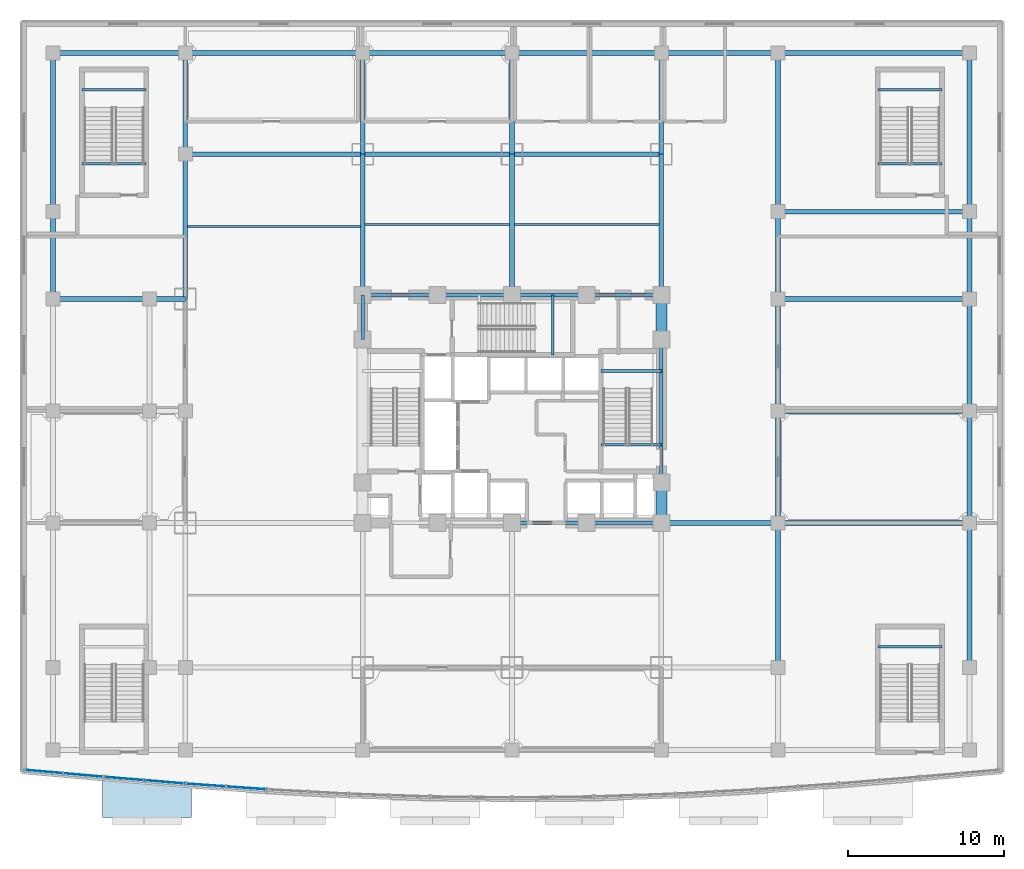
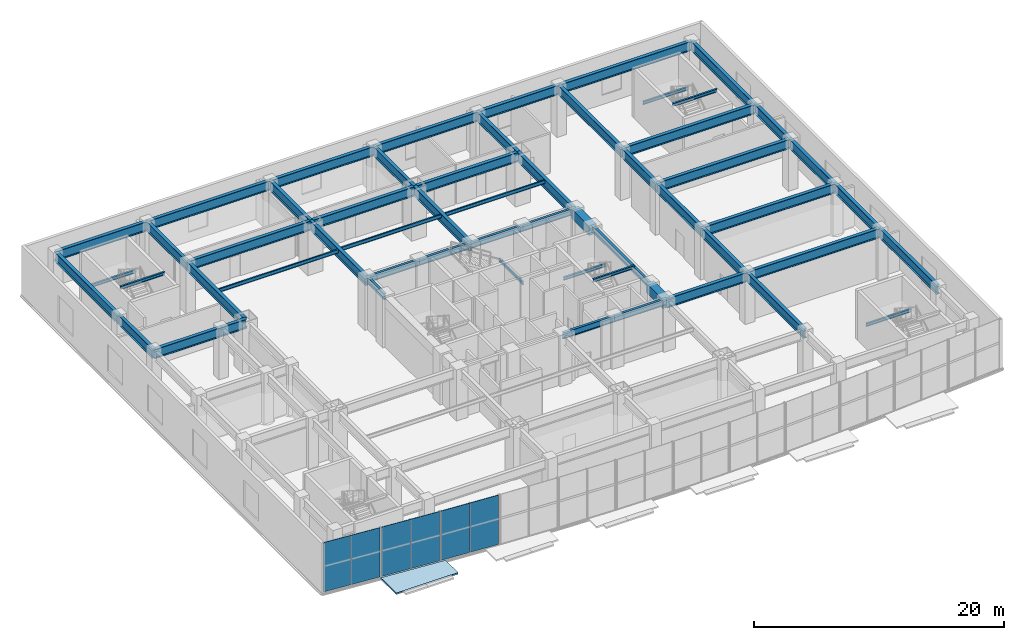
# One storey, part 10 of 24: 57 beams, 6 plates, 1 slab, 3 elements without a shape of their own.
"""IFC4 building model written with IfcOpenShell, lengths in metres."""

from ifc_helpers import new_model, si_unit, direction, frame, origin, origin_2d, place, context, subcontext, project, spatial, polyline, rectangle, i_section, outline, extrude, material, layer, layer_set, material_profile, profile_set, type_object, element, aggregate, save


model = new_model("IFC4")

# Units and contexts
model_context = context("Model", 3, precision=1e-05, world=origin(), true_north=direction((0.0, 1.0)))
body_context = subcontext(model_context, "Body", "Model", "MODEL_VIEW")
ifc_project = project(units=[si_unit("LENGTHUNIT", "METRE"), si_unit("AREAUNIT", "SQUARE_METRE"), si_unit("VOLUMEUNIT", "CUBIC_METRE"), si_unit("PLANEANGLEUNIT", "RADIAN"), si_unit("MASSUNIT", "GRAM", prefix="KILO")], contexts=[model_context])

# Site, building, storey
site_placement = place(None, origin())
site = spatial("IfcSite", under=ifc_project, at=site_placement, CompositionType="ELEMENT")
building_placement = place(site_placement, origin())
building = spatial("IfcBuilding", under=site, at=building_placement, Name="Vantalir Tower", CompositionType="ELEMENT")
storey_placement = place(building_placement, frame((0.0, 0.0, 6.0)))
storey = spatial("IfcBuildingStorey", under=building, at=storey_placement, Name="L01", CompositionType="ELEMENT", Elevation=6.0)

# Beams
ifc_material_1 = material(Name="Concrete C60/75", Category="concrete")
ifc_material_profile_1 = material_profile(ifc_material_1, rectangle(XDim=0.699951171875, YDim=0.949951171875, at=origin_2d()), Name="Concrete C60/75")
ifc_profile_set_1 = profile_set([ifc_material_profile_1], Name="Concrete C60/75")
beam_type_1 = type_object("IfcBeamType", Name="BM-CB-700x950", PredefinedType="USERDEFINED", material=ifc_profile_set_1)
beam_1_placement = place(storey_placement, frame((41.10009765625, 17.800048828125, 4.344970703125), z_axis=(0.0, 1.0, 0.0), x_axis=(-1.0, 0.0, 0.0)))
element("IfcBeam", 1, at=beam_1_placement, inside=storey, type_object=beam_type_1, Name="Level 01 Core Coupling Girder 05", ObjectType="GIRDER", PredefinedType="USERDEFINED", context=body_context, shape_type="SweptSolid", body=[
    extrude(rectangle(XDim=0.699951171875, YDim=0.949951171875, at=origin_2d()), origin(), (0.0, 0.0, 1.0), 2.599853515625),
])
beam_2_placement = place(storey_placement, frame((41.10009765625, 29.60009765625, 4.344970703125), z_axis=(0.0, 1.0, 0.0), x_axis=(-1.0, 0.0, 0.0)))
element("IfcBeam", 2, at=beam_2_placement, inside=storey, type_object=beam_type_1, Name="Level 01 Core Coupling Girder 07", ObjectType="GIRDER", PredefinedType="USERDEFINED", context=body_context, shape_type="SweptSolid", body=[
    extrude(rectangle(XDim=0.699951171875, YDim=0.949951171875, at=origin_2d()), origin(), (0.0, 0.0, 1.0), 2.849853515625),
])
ifc_material_2 = material(Name="Steel S355", Category="steel")
ifc_material_profile_2 = material_profile(ifc_material_2, i_section(OverallWidth=0.166015625, OverallDepth=0.306884765625, WebThickness=0.006591796875, FlangeThickness=0.01171875, at=origin_2d()), Name="Steel S355")
ifc_profile_set_2 = profile_set([ifc_material_profile_2], Name="Steel S355")
beam_type_2 = type_object("IfcBeamType", Name="BM-JS-305x165", PredefinedType="JOIST", material=ifc_profile_set_2)
for number, where, z_axis, x_axis, name in (
    (3, (37.2099609375, 22.8349609375, 4.845947265625), (1.0, 0.0, 0.0), (0.0, 1.0, 0.0), "Level 02 Stair ST2 Well Nosing Trimmer Beam"),
    (4, (37.2099609375, 27.56494140625, 2.14697265625), (1.0, 0.0, 0.0), (0.0, 1.0, 0.0), "Level 01 Stair ST2 Half-Landing Support Beam"),
):
    element("IfcBeam", number, at=place(storey_placement, frame(where, z_axis=z_axis, x_axis=x_axis)), inside=storey, type_object=beam_type_2, Name=name, PredefinedType="JOIST", context=body_context, shape_type="SweptSolid", body=[
        extrude(i_section(OverallWidth=0.166015625, OverallDepth=0.306884765625, WebThickness=0.006591796875, FlangeThickness=0.01171875, at=origin_2d()), origin(), (0.0, 0.0, 1.0), 3.89013671875),
    ])
beam_3_placement = place(storey_placement, frame((34.114990234375, 28.60009765625, 2.14697265625), z_axis=(0.0, 1.0, 0.0), x_axis=(-1.0, 0.0, 0.0)))
element("IfcBeam", 5, at=beam_3_placement, inside=storey, type_object=beam_type_2, Name="Level 01 Stair ST3 Half-Landing Support Beam", PredefinedType="JOIST", context=body_context, shape_type="SweptSolid", body=[
    extrude(i_section(OverallWidth=0.166015625, OverallDepth=0.306884765625, WebThickness=0.006591796875, FlangeThickness=0.01171875, at=origin_2d()), origin(), (0.0, 0.0, 1.0), 3.849853515625),
])
for number, where, z_axis, x_axis, name in (
    (6, (3.860107421875, 40.89501953125, 4.845947265625), (1.0, 0.0, 0.0), (0.0, 1.0, 0.0), "Level 02 Stair PST1 Well Nosing Trimmer Beam"),
    (7, (3.860107421875, 45.64501953125, 2.14697265625), (1.0, 0.0, 0.0), (0.0, 1.0, 0.0), "Level 01 Stair PST1 Half-Landing Support Beam"),
    (8, (55.010009765625, 40.89501953125, 4.845947265625), (1.0, 0.0, 0.0), (0.0, 1.0, 0.0), "Level 02 Stair PST2 Well Nosing Trimmer Beam"),
    (9, (55.010009765625, 45.64501953125, 2.14697265625), (1.0, 0.0, 0.0), (0.0, 1.0, 0.0), "Level 01 Stair PST2 Half-Landing Support Beam"),
    (10, (55.010009765625, 9.844970703125, 2.14697265625), (1.0, 0.0, 0.0), (0.0, 1.0, 0.0), "Level 01 Stair PST4 Half-Landing Support Beam"),
):
    element("IfcBeam", number, at=place(storey_placement, frame(where, z_axis=z_axis, x_axis=x_axis)), inside=storey, type_object=beam_type_2, Name=name, PredefinedType="JOIST", context=body_context, shape_type="SweptSolid", body=[
        extrude(i_section(OverallWidth=0.166015625, OverallDepth=0.306884765625, WebThickness=0.006591796875, FlangeThickness=0.01171875, at=origin_2d()), origin(), (0.0, 0.0, 1.0), 4.1298828125),
    ])
ifc_material_profile_3 = material_profile(ifc_material_2, i_section(OverallWidth=0.1259765625, OverallDepth=0.35302734375, WebThickness=0.006591796875, FlangeThickness=0.0107421875, at=origin_2d()), Name="Steel S355")
ifc_profile_set_3 = profile_set([ifc_material_profile_3], Name="Steel S355")
beam_type_3 = type_object("IfcBeamType", Name="BM-JS-356x127", PredefinedType="JOIST", material=ifc_profile_set_3)
beam_4_placement = place(storey_placement, frame((10.64501953125, 36.85009765625, 4.64404296875), z_axis=(1.0, 0.0, 0.0), x_axis=(0.0, 1.0, 0.0)))
element("IfcBeam", 11, at=beam_4_placement, inside=storey, type_object=beam_type_3, Name="Level 01 Secondary Composite Joist 02", PredefinedType="JOIST", context=body_context, shape_type="SweptSolid", body=[
    extrude(i_section(OverallWidth=0.1259765625, OverallDepth=0.35302734375, WebThickness=0.006591796875, FlangeThickness=0.0107421875, at=origin_2d()), origin(), (0.0, 0.0, 1.0), 11.10986328125),
])
for number, where, z_axis, x_axis, name in (
    (12, (22.044921875, 36.97509765625, 4.64404296875), (1.0, 0.0, 0.0), (0.0, 1.0, 0.0), "Level 01 Secondary Composite Joist 04"),
    (13, (31.64501953125, 36.97509765625, 4.64404296875), (1.0, 0.0, 0.0), (0.0, 1.0, 0.0), "Level 01 Secondary Composite Joist 06"),
):
    element("IfcBeam", number, at=place(storey_placement, frame(where, z_axis=z_axis, x_axis=x_axis)), inside=storey, type_object=beam_type_3, Name=name, PredefinedType="JOIST", context=body_context, shape_type="SweptSolid", body=[
        extrude(i_section(OverallWidth=0.1259765625, OverallDepth=0.35302734375, WebThickness=0.006591796875, FlangeThickness=0.0107421875, at=origin_2d()), origin(), (0.0, 0.0, 1.0), 9.31005859375),
    ])
ifc_material_profile_4 = material_profile(ifc_material_2, i_section(OverallWidth=0.30810546875, OverallDepth=0.927001953125, WebThickness=0.01953125, FlangeThickness=0.031982421875, at=origin_2d()), Name="Steel S355")
ifc_profile_set_4 = profile_set([ifc_material_profile_4], Name="Steel S355")
beam_type_4 = type_object("IfcBeamType", Name="BM-PG-914x305", PredefinedType="USERDEFINED", material=ifc_profile_set_4)
beam_5_placement = place(storey_placement, frame((41.10009765625, 17.800048828125, 4.35595703125), z_axis=(1.0, 0.0, 0.0), x_axis=(0.0, 1.0, 0.0)))
element("IfcBeam", 14, at=beam_5_placement, inside=storey, type_object=beam_type_4, Name="Level 01 Podium E-W Girder 19", ObjectType="GIRDER", PredefinedType="USERDEFINED", context=body_context, shape_type="SweptSolid", body=[
    extrude(i_section(OverallWidth=0.30810546875, OverallDepth=0.927001953125, WebThickness=0.01953125, FlangeThickness=0.031982421875, at=origin_2d()), origin(), (0.0, 0.0, 1.0), 7.5),
])
for number, where, z_axis, x_axis, name in (
    (15, (48.60009765625, 17.800048828125, 4.35595703125), (1.0, 0.0, 0.0), (0.0, 1.0, 0.0), "Level 01 Podium E-W Girder 20"),
    (16, (48.60009765625, 25.0, 4.35595703125), (1.0, 0.0, 0.0), (0.0, 1.0, 0.0), "Level 01 Podium E-W Girder 23"),
):
    element("IfcBeam", number, at=place(storey_placement, frame(where, z_axis=z_axis, x_axis=x_axis)), inside=storey, type_object=beam_type_4, Name=name, ObjectType="GIRDER", PredefinedType="USERDEFINED", context=body_context, shape_type="SweptSolid", body=[
        extrude(i_section(OverallWidth=0.30810546875, OverallDepth=0.927001953125, WebThickness=0.01953125, FlangeThickness=0.031982421875, at=origin_2d()), origin(), (0.0, 0.0, 1.0), 12.2998046875),
    ])
beam_6_placement = place(storey_placement, frame((2.0, 32.199951171875, 4.35595703125), z_axis=(1.0, 0.0, 0.0), x_axis=(0.0, 1.0, 0.0)))
element("IfcBeam", 17, at=beam_6_placement, inside=storey, type_object=beam_type_4, Name="Level 01 Podium E-W Girder 24", ObjectType="GIRDER", PredefinedType="USERDEFINED", context=body_context, shape_type="SweptSolid", body=[
    extrude(i_section(OverallWidth=0.30810546875, OverallDepth=0.927001953125, WebThickness=0.01953125, FlangeThickness=0.031982421875, at=origin_2d()), origin(), (0.0, 0.0, 1.0), 6.199951171875),
])
beam_7_placement = place(storey_placement, frame((8.199951171875, 32.199951171875, 4.35595703125), z_axis=(1.0, 0.0, 0.0), x_axis=(0.0, 1.0, 0.0)))
element("IfcBeam", 18, at=beam_7_placement, inside=storey, type_object=beam_type_4, Name="Level 01 Podium E-W Girder 25", ObjectType="GIRDER", PredefinedType="USERDEFINED", context=body_context, shape_type="SweptSolid", body=[
    extrude(i_section(OverallWidth=0.30810546875, OverallDepth=0.927001953125, WebThickness=0.01953125, FlangeThickness=0.031982421875, at=origin_2d()), origin(), (0.0, 0.0, 1.0), 2.300048828125),
])
for number, where, z_axis, x_axis, name in (
    (19, (48.60009765625, 32.199951171875, 4.35595703125), (1.0, 0.0, 0.0), (0.0, 1.0, 0.0), "Level 01 Podium E-W Girder 26"),
    (20, (48.60009765625, 37.800048828125, 4.35595703125), (1.0, 0.0, 0.0), (0.0, 1.0, 0.0), "Level 01 Podium E-W Girder 31"),
):
    element("IfcBeam", number, at=place(storey_placement, frame(where, z_axis=z_axis, x_axis=x_axis)), inside=storey, type_object=beam_type_4, Name=name, ObjectType="GIRDER", PredefinedType="USERDEFINED", context=body_context, shape_type="SweptSolid", body=[
        extrude(i_section(OverallWidth=0.30810546875, OverallDepth=0.927001953125, WebThickness=0.01953125, FlangeThickness=0.031982421875, at=origin_2d()), origin(), (0.0, 0.0, 1.0), 12.2998046875),
    ])
beam_8_placement = place(storey_placement, frame((10.5, 41.5, 4.35595703125), z_axis=(1.0, 0.0, 0.0), x_axis=(0.0, 1.0, 0.0)))
element("IfcBeam", 21, at=beam_8_placement, inside=storey, type_object=beam_type_4, Name="Level 01 Podium E-W Girder 32", ObjectType="GIRDER", PredefinedType="USERDEFINED", context=body_context, shape_type="SweptSolid", body=[
    extrude(i_section(OverallWidth=0.30810546875, OverallDepth=0.927001953125, WebThickness=0.01953125, FlangeThickness=0.031982421875, at=origin_2d()), origin(), (0.0, 0.0, 1.0), 11.39990234375),
])
for number, where, z_axis, x_axis, name in (
    (22, (21.89990234375, 41.5, 4.35595703125), (1.0, 0.0, 0.0), (0.0, 1.0, 0.0), "Level 01 Podium E-W Girder 33"),
    (23, (31.5, 41.5, 4.35595703125), (1.0, 0.0, 0.0), (0.0, 1.0, 0.0), "Level 01 Podium E-W Girder 34"),
):
    element("IfcBeam", number, at=place(storey_placement, frame(where, z_axis=z_axis, x_axis=x_axis)), inside=storey, type_object=beam_type_4, Name=name, ObjectType="GIRDER", PredefinedType="USERDEFINED", context=body_context, shape_type="SweptSolid", body=[
        extrude(i_section(OverallWidth=0.30810546875, OverallDepth=0.927001953125, WebThickness=0.01953125, FlangeThickness=0.031982421875, at=origin_2d()), origin(), (0.0, 0.0, 1.0), 9.60009765625),
    ])
beam_9_placement = place(storey_placement, frame((2.0, 48.0, 4.35595703125), z_axis=(1.0, 0.0, 0.0), x_axis=(0.0, 1.0, 0.0)))
element("IfcBeam", 24, at=beam_9_placement, inside=storey, type_object=beam_type_4, Name="Level 01 Podium E-W Girder 35", ObjectType="GIRDER", PredefinedType="USERDEFINED", context=body_context, shape_type="SweptSolid", body=[
    extrude(i_section(OverallWidth=0.30810546875, OverallDepth=0.927001953125, WebThickness=0.01953125, FlangeThickness=0.031982421875, at=origin_2d()), origin(), (0.0, 0.0, 1.0), 8.5),
])
beam_10_placement = place(storey_placement, frame((10.5, 48.0, 4.35595703125), z_axis=(1.0, 0.0, 0.0), x_axis=(0.0, 1.0, 0.0)))
element("IfcBeam", 25, at=beam_10_placement, inside=storey, type_object=beam_type_4, Name="Level 01 Podium E-W Girder 36", ObjectType="GIRDER", PredefinedType="USERDEFINED", context=body_context, shape_type="SweptSolid", body=[
    extrude(i_section(OverallWidth=0.30810546875, OverallDepth=0.927001953125, WebThickness=0.01953125, FlangeThickness=0.031982421875, at=origin_2d()), origin(), (0.0, 0.0, 1.0), 11.39990234375),
])
for number, where, z_axis, x_axis, name in (
    (26, (21.89990234375, 48.0, 4.35595703125), (1.0, 0.0, 0.0), (0.0, 1.0, 0.0), "Level 01 Podium E-W Girder 37"),
    (27, (31.5, 48.0, 4.35595703125), (1.0, 0.0, 0.0), (0.0, 1.0, 0.0), "Level 01 Podium E-W Girder 38"),
):
    element("IfcBeam", number, at=place(storey_placement, frame(where, z_axis=z_axis, x_axis=x_axis)), inside=storey, type_object=beam_type_4, Name=name, ObjectType="GIRDER", PredefinedType="USERDEFINED", context=body_context, shape_type="SweptSolid", body=[
        extrude(i_section(OverallWidth=0.30810546875, OverallDepth=0.927001953125, WebThickness=0.01953125, FlangeThickness=0.031982421875, at=origin_2d()), origin(), (0.0, 0.0, 1.0), 9.60009765625),
    ])
beam_11_placement = place(storey_placement, frame((41.10009765625, 48.0, 4.35595703125), z_axis=(1.0, 0.0, 0.0), x_axis=(0.0, 1.0, 0.0)))
element("IfcBeam", 28, at=beam_11_placement, inside=storey, type_object=beam_type_4, Name="Level 01 Podium E-W Girder 39", ObjectType="GIRDER", PredefinedType="USERDEFINED", context=body_context, shape_type="SweptSolid", body=[
    extrude(i_section(OverallWidth=0.30810546875, OverallDepth=0.927001953125, WebThickness=0.01953125, FlangeThickness=0.031982421875, at=origin_2d()), origin(), (0.0, 0.0, 1.0), 7.5),
])
beam_12_placement = place(storey_placement, frame((48.60009765625, 48.0, 4.35595703125), z_axis=(1.0, 0.0, 0.0), x_axis=(0.0, 1.0, 0.0)))
element("IfcBeam", 29, at=beam_12_placement, inside=storey, type_object=beam_type_4, Name="Level 01 Podium E-W Girder 40", ObjectType="GIRDER", PredefinedType="USERDEFINED", context=body_context, shape_type="SweptSolid", body=[
    extrude(i_section(OverallWidth=0.30810546875, OverallDepth=0.927001953125, WebThickness=0.01953125, FlangeThickness=0.031982421875, at=origin_2d()), origin(), (0.0, 0.0, 1.0), 12.2998046875),
])
beam_13_placement = place(storey_placement, frame((2.0, 32.199951171875, 4.35595703125), z_axis=(0.0, 1.0, 0.0), x_axis=(-1.0, 0.0, 0.0)))
element("IfcBeam", 30, at=beam_13_placement, inside=storey, type_object=beam_type_4, Name="Level 01 Podium N-S Girder 45", ObjectType="GIRDER", PredefinedType="USERDEFINED", context=body_context, shape_type="SweptSolid", body=[
    extrude(i_section(OverallWidth=0.30810546875, OverallDepth=0.927001953125, WebThickness=0.01953125, FlangeThickness=0.031982421875, at=origin_2d()), origin(), (0.0, 0.0, 1.0), 5.60009765625),
])
beam_14_placement = place(storey_placement, frame((2.0, 37.800048828125, 4.35595703125), z_axis=(0.0, 1.0, 0.0), x_axis=(-1.0, 0.0, 0.0)))
element("IfcBeam", 31, at=beam_14_placement, inside=storey, type_object=beam_type_4, Name="Level 01 Podium N-S Girder 46", ObjectType="GIRDER", PredefinedType="USERDEFINED", context=body_context, shape_type="SweptSolid", body=[
    extrude(i_section(OverallWidth=0.30810546875, OverallDepth=0.927001953125, WebThickness=0.01953125, FlangeThickness=0.031982421875, at=origin_2d()), origin(), (0.0, 0.0, 1.0), 10.199951171875),
])
beam_15_placement = place(storey_placement, frame((10.5, 32.199951171875, 4.35595703125), z_axis=(0.0, 1.0, 0.0), x_axis=(-1.0, 0.0, 0.0)))
element("IfcBeam", 32, at=beam_15_placement, inside=storey, type_object=beam_type_4, Name="Level 01 Podium N-S Girder 54", ObjectType="GIRDER", PredefinedType="USERDEFINED", context=body_context, shape_type="SweptSolid", body=[
    extrude(i_section(OverallWidth=0.30810546875, OverallDepth=0.927001953125, WebThickness=0.01953125, FlangeThickness=0.031982421875, at=origin_2d()), origin(), (0.0, 0.0, 1.0), 9.300048828125),
])
beam_16_placement = place(storey_placement, frame((10.5, 41.5, 4.35595703125), z_axis=(0.0, 1.0, 0.0), x_axis=(-1.0, 0.0, 0.0)))
element("IfcBeam", 33, at=beam_16_placement, inside=storey, type_object=beam_type_4, Name="Level 01 Podium N-S Girder 55", ObjectType="GIRDER", PredefinedType="USERDEFINED", context=body_context, shape_type="SweptSolid", body=[
    extrude(i_section(OverallWidth=0.30810546875, OverallDepth=0.927001953125, WebThickness=0.01953125, FlangeThickness=0.031982421875, at=origin_2d()), origin(), (0.0, 0.0, 1.0), 6.5),
])
beam_17_placement = place(storey_placement, frame((21.89990234375, 32.449951171875, 4.35595703125), z_axis=(0.0, 1.0, 0.0), x_axis=(-1.0, 0.0, 0.0)))
element("IfcBeam", 34, at=beam_17_placement, inside=storey, type_object=beam_type_4, Name="Level 01 Podium N-S Girder 61", ObjectType="GIRDER", PredefinedType="USERDEFINED", context=body_context, shape_type="SweptSolid", body=[
    extrude(i_section(OverallWidth=0.30810546875, OverallDepth=0.927001953125, WebThickness=0.01953125, FlangeThickness=0.031982421875, at=origin_2d()), origin(), (0.0, 0.0, 1.0), 9.050048828125),
])
beam_18_placement = place(storey_placement, frame((21.89990234375, 41.5, 4.35595703125), z_axis=(0.0, 1.0, 0.0), x_axis=(-1.0, 0.0, 0.0)))
element("IfcBeam", 35, at=beam_18_placement, inside=storey, type_object=beam_type_4, Name="Level 01 Podium N-S Girder 62", ObjectType="GIRDER", PredefinedType="USERDEFINED", context=body_context, shape_type="SweptSolid", body=[
    extrude(i_section(OverallWidth=0.30810546875, OverallDepth=0.927001953125, WebThickness=0.01953125, FlangeThickness=0.031982421875, at=origin_2d()), origin(), (0.0, 0.0, 1.0), 6.5),
])
beam_19_placement = place(storey_placement, frame((31.5, 32.449951171875, 4.35595703125), z_axis=(0.0, 1.0, 0.0), x_axis=(-1.0, 0.0, 0.0)))
element("IfcBeam", 36, at=beam_19_placement, inside=storey, type_object=beam_type_4, Name="Level 01 Podium N-S Girder 65", ObjectType="GIRDER", PredefinedType="USERDEFINED", context=body_context, shape_type="SweptSolid", body=[
    extrude(i_section(OverallWidth=0.30810546875, OverallDepth=0.927001953125, WebThickness=0.01953125, FlangeThickness=0.031982421875, at=origin_2d()), origin(), (0.0, 0.0, 1.0), 9.050048828125),
])
beam_20_placement = place(storey_placement, frame((31.5, 41.5, 4.35595703125), z_axis=(0.0, 1.0, 0.0), x_axis=(-1.0, 0.0, 0.0)))
element("IfcBeam", 37, at=beam_20_placement, inside=storey, type_object=beam_type_4, Name="Level 01 Podium N-S Girder 66", ObjectType="GIRDER", PredefinedType="USERDEFINED", context=body_context, shape_type="SweptSolid", body=[
    extrude(i_section(OverallWidth=0.30810546875, OverallDepth=0.927001953125, WebThickness=0.01953125, FlangeThickness=0.031982421875, at=origin_2d()), origin(), (0.0, 0.0, 1.0), 6.5),
])
beam_21_placement = place(storey_placement, frame((41.10009765625, 32.449951171875, 4.35595703125), z_axis=(0.0, 1.0, 0.0), x_axis=(-1.0, 0.0, 0.0)))
element("IfcBeam", 38, at=beam_21_placement, inside=storey, type_object=beam_type_4, Name="Level 01 Podium N-S Girder 72", ObjectType="GIRDER", PredefinedType="USERDEFINED", context=body_context, shape_type="SweptSolid", body=[
    extrude(i_section(OverallWidth=0.30810546875, OverallDepth=0.927001953125, WebThickness=0.01953125, FlangeThickness=0.031982421875, at=origin_2d()), origin(), (0.0, 0.0, 1.0), 9.050048828125),
])
beam_22_placement = place(storey_placement, frame((41.10009765625, 41.5, 4.35595703125), z_axis=(0.0, 1.0, 0.0), x_axis=(-1.0, 0.0, 0.0)))
element("IfcBeam", 39, at=beam_22_placement, inside=storey, type_object=beam_type_4, Name="Level 01 Podium N-S Girder 73", ObjectType="GIRDER", PredefinedType="USERDEFINED", context=body_context, shape_type="SweptSolid", body=[
    extrude(i_section(OverallWidth=0.30810546875, OverallDepth=0.927001953125, WebThickness=0.01953125, FlangeThickness=0.031982421875, at=origin_2d()), origin(), (0.0, 0.0, 1.0), 6.5),
])
beam_23_placement = place(storey_placement, frame((48.60009765625, 8.5, 4.35595703125), z_axis=(0.0, 1.0, 0.0), x_axis=(-1.0, 0.0, 0.0)))
element("IfcBeam", 40, at=beam_23_placement, inside=storey, type_object=beam_type_4, Name="Level 01 Podium N-S Girder 75", ObjectType="GIRDER", PredefinedType="USERDEFINED", context=body_context, shape_type="SweptSolid", body=[
    extrude(i_section(OverallWidth=0.30810546875, OverallDepth=0.927001953125, WebThickness=0.01953125, FlangeThickness=0.031982421875, at=origin_2d()), origin(), (0.0, 0.0, 1.0), 9.300048828125),
])
for number, where, z_axis, x_axis, name in (
    (41, (48.60009765625, 17.800048828125, 4.35595703125), (0.0, 1.0, 0.0), (-1.0, 0.0, 0.0), "Level 01 Podium N-S Girder 76"),
    (42, (48.60009765625, 25.0, 4.35595703125), (0.0, 1.0, 0.0), (-1.0, 0.0, 0.0), "Level 01 Podium N-S Girder 77"),
):
    element("IfcBeam", number, at=place(storey_placement, frame(where, z_axis=z_axis, x_axis=x_axis)), inside=storey, type_object=beam_type_4, Name=name, ObjectType="GIRDER", PredefinedType="USERDEFINED", context=body_context, shape_type="SweptSolid", body=[
        extrude(i_section(OverallWidth=0.30810546875, OverallDepth=0.927001953125, WebThickness=0.01953125, FlangeThickness=0.031982421875, at=origin_2d()), origin(), (0.0, 0.0, 1.0), 7.199951171875),
    ])
beam_24_placement = place(storey_placement, frame((48.60009765625, 32.199951171875, 4.35595703125), z_axis=(0.0, 1.0, 0.0), x_axis=(-1.0, 0.0, 0.0)))
element("IfcBeam", 43, at=beam_24_placement, inside=storey, type_object=beam_type_4, Name="Level 01 Podium N-S Girder 78", ObjectType="GIRDER", PredefinedType="USERDEFINED", context=body_context, shape_type="SweptSolid", body=[
    extrude(i_section(OverallWidth=0.30810546875, OverallDepth=0.927001953125, WebThickness=0.01953125, FlangeThickness=0.031982421875, at=origin_2d()), origin(), (0.0, 0.0, 1.0), 5.60009765625),
])
beam_25_placement = place(storey_placement, frame((48.60009765625, 37.800048828125, 4.35595703125), z_axis=(0.0, 1.0, 0.0), x_axis=(-1.0, 0.0, 0.0)))
element("IfcBeam", 44, at=beam_25_placement, inside=storey, type_object=beam_type_4, Name="Level 01 Podium N-S Girder 79", ObjectType="GIRDER", PredefinedType="USERDEFINED", context=body_context, shape_type="SweptSolid", body=[
    extrude(i_section(OverallWidth=0.30810546875, OverallDepth=0.927001953125, WebThickness=0.01953125, FlangeThickness=0.031982421875, at=origin_2d()), origin(), (0.0, 0.0, 1.0), 10.199951171875),
])
beam_26_placement = place(storey_placement, frame((60.89990234375, 8.5, 4.35595703125), z_axis=(0.0, 1.0, 0.0), x_axis=(-1.0, 0.0, 0.0)))
element("IfcBeam", 45, at=beam_26_placement, inside=storey, type_object=beam_type_4, Name="Level 01 Podium N-S Girder 81", ObjectType="GIRDER", PredefinedType="USERDEFINED", context=body_context, shape_type="SweptSolid", body=[
    extrude(i_section(OverallWidth=0.30810546875, OverallDepth=0.927001953125, WebThickness=0.01953125, FlangeThickness=0.031982421875, at=origin_2d()), origin(), (0.0, 0.0, 1.0), 9.300048828125),
])
for number, where, z_axis, x_axis, name in (
    (46, (60.89990234375, 17.800048828125, 4.35595703125), (0.0, 1.0, 0.0), (-1.0, 0.0, 0.0), "Level 01 Podium N-S Girder 82"),
    (47, (60.89990234375, 25.0, 4.35595703125), (0.0, 1.0, 0.0), (-1.0, 0.0, 0.0), "Level 01 Podium N-S Girder 83"),
):
    element("IfcBeam", number, at=place(storey_placement, frame(where, z_axis=z_axis, x_axis=x_axis)), inside=storey, type_object=beam_type_4, Name=name, ObjectType="GIRDER", PredefinedType="USERDEFINED", context=body_context, shape_type="SweptSolid", body=[
        extrude(i_section(OverallWidth=0.30810546875, OverallDepth=0.927001953125, WebThickness=0.01953125, FlangeThickness=0.031982421875, at=origin_2d()), origin(), (0.0, 0.0, 1.0), 7.199951171875),
    ])
beam_27_placement = place(storey_placement, frame((60.89990234375, 32.199951171875, 4.35595703125), z_axis=(0.0, 1.0, 0.0), x_axis=(-1.0, 0.0, 0.0)))
element("IfcBeam", 48, at=beam_27_placement, inside=storey, type_object=beam_type_4, Name="Level 01 Podium N-S Girder 84", ObjectType="GIRDER", PredefinedType="USERDEFINED", context=body_context, shape_type="SweptSolid", body=[
    extrude(i_section(OverallWidth=0.30810546875, OverallDepth=0.927001953125, WebThickness=0.01953125, FlangeThickness=0.031982421875, at=origin_2d()), origin(), (0.0, 0.0, 1.0), 5.60009765625),
])
beam_28_placement = place(storey_placement, frame((60.89990234375, 37.800048828125, 4.35595703125), z_axis=(0.0, 1.0, 0.0), x_axis=(-1.0, 0.0, 0.0)))
element("IfcBeam", 49, at=beam_28_placement, inside=storey, type_object=beam_type_4, Name="Level 01 Podium N-S Girder 85", ObjectType="GIRDER", PredefinedType="USERDEFINED", context=body_context, shape_type="SweptSolid", body=[
    extrude(i_section(OverallWidth=0.30810546875, OverallDepth=0.927001953125, WebThickness=0.01953125, FlangeThickness=0.031982421875, at=origin_2d()), origin(), (0.0, 0.0, 1.0), 10.199951171875),
])
ifc_material_profile_5 = material_profile(ifc_material_2, i_section(OverallWidth=0.22998046875, OverallDepth=0.616943359375, WebThickness=0.01318359375, FlangeThickness=0.022216796875, at=origin_2d()), Name="Steel S355")
ifc_profile_set_5 = profile_set([ifc_material_profile_5], Name="Steel S355")
beam_type_5 = type_object("IfcBeamType", Name="BM-RB-610x229", PredefinedType="BEAM", material=ifc_profile_set_5)
for number, where, z_axis, x_axis, name in (
    (50, (31.5, 17.800048828125, 4.511962890625), (1.0, 0.0, 0.0), (0.0, 1.0, 0.0), "Level 01 Core Coupling Girder 03"),
    (51, (36.300048828125, 17.800048828125, 4.511962890625), (1.0, 0.0, 0.0), (0.0, 1.0, 0.0), "Level 01 Core Coupling Girder 04"),
):
    element("IfcBeam", number, at=place(storey_placement, frame(where, z_axis=z_axis, x_axis=x_axis)), inside=storey, type_object=beam_type_5, Name=name, PredefinedType="BEAM", context=body_context, shape_type="SweptSolid", body=[
        extrude(i_section(OverallWidth=0.22998046875, OverallDepth=0.616943359375, WebThickness=0.01318359375, FlangeThickness=0.022216796875, at=origin_2d()), origin(), (0.0, 0.0, 1.0), 4.800048828125),
    ])
beam_29_placement = place(storey_placement, frame((41.10009765625, 20.39990234375, 4.511962890625), z_axis=(0.0, 1.0, 0.0), x_axis=(-1.0, 0.0, 0.0)))
element("IfcBeam", 52, at=beam_29_placement, inside=storey, type_object=beam_type_5, Name="Level 01 Core Coupling Girder 06", PredefinedType="BEAM", context=body_context, shape_type="SweptSolid", body=[
    extrude(i_section(OverallWidth=0.22998046875, OverallDepth=0.616943359375, WebThickness=0.01318359375, FlangeThickness=0.022216796875, at=origin_2d()), origin(), (0.0, 0.0, 1.0), 9.2001953125),
])
for number, where, z_axis, x_axis, name in (
    (53, (41.10009765625, 32.449951171875, 4.511962890625), (-1.0, 0.0, 0.0), (0.0, -1.0, 0.0), "Level 01 Core Coupling Girder 08"),
    (54, (36.300048828125, 32.449951171875, 4.511962890625), (-1.0, 0.0, 0.0), (0.0, -1.0, 0.0), "Level 01 Core Coupling Girder 09"),
    (55, (31.5, 32.449951171875, 4.511962890625), (-1.0, 0.0, 0.0), (0.0, -1.0, 0.0), "Level 01 Core Coupling Girder 10"),
    (56, (26.699951171875, 32.449951171875, 4.511962890625), (-1.0, 0.0, 0.0), (0.0, -1.0, 0.0), "Level 01 Core Coupling Girder 11"),
):
    element("IfcBeam", number, at=place(storey_placement, frame(where, z_axis=z_axis, x_axis=x_axis)), inside=storey, type_object=beam_type_5, Name=name, PredefinedType="BEAM", context=body_context, shape_type="SweptSolid", body=[
        extrude(i_section(OverallWidth=0.22998046875, OverallDepth=0.616943359375, WebThickness=0.01318359375, FlangeThickness=0.022216796875, at=origin_2d()), origin(), (0.0, 0.0, 1.0), 4.800048828125),
    ])
beam_30_placement = place(storey_placement, frame((21.89990234375, 32.449951171875, 4.511962890625), z_axis=(0.0, -1.0, 0.0), x_axis=(1.0, 0.0, 0.0)))
element("IfcBeam", 57, at=beam_30_placement, inside=storey, type_object=beam_type_5, Name="Level 01 Core Coupling Girder 12", PredefinedType="BEAM", context=body_context, shape_type="SweptSolid", body=[
    extrude(i_section(OverallWidth=0.22998046875, OverallDepth=0.616943359375, WebThickness=0.01318359375, FlangeThickness=0.022216796875, at=origin_2d()), origin(), (0.0, 0.0, 1.0), 2.849853515625),
])

# Curtain wall, plates
ifc_material_3 = material(Name="Champagne-silver PVDF aluminium and double-silver Low-E glass", Category="aluminium")
ifc_layer_1 = layer(ifc_material_3, 0.239990234375)
ifc_layer_set_1 = layer_set([ifc_layer_1], Name="Champagne-silver PVDF aluminium and double-silver Low-E glass")
curtain_wall_type = type_object("IfcCurtainWallType", Name="CW-PODIUM-WF", PredefinedType="USERDEFINED", material=ifc_layer_set_1)
curtain_wall_1_placement = place(storey_placement, origin())
curtain_wall_1 = element("IfcCurtainWall", 58, at=curtain_wall_1_placement, inside=storey, type_object=curtain_wall_type, Name="Level 01 Waterfront Stick Curtain Wall 01", ObjectType="STICK CURTAIN WALL", PredefinedType="USERDEFINED")
ifc_material_4 = material(Name="Laminated waterfront podium glass IGU", Category="glass")
ifc_layer_2 = layer(ifc_material_4, 0.0400390625)
ifc_layer_set_2 = layer_set([ifc_layer_2], Name="Laminated waterfront podium glass IGU")
plate_type = type_object("IfcPlateType", Name="CWP-IGU-POD-40", PredefinedType="CURTAIN_PANEL", material=ifc_layer_set_2)
plate_1_placement = place(storey_placement, frame((1.402099609375, 1.81591796875, -0.008056640625), z_axis=(0.0, 0.0, 1.0), x_axis=(0.99608438842, -0.088407528781, 0.0)))
plate_1 = element("IfcPlate", 59, at=plate_1_placement, type_object=plate_type, Name="CW-L01-WF-01 Glazed Panel 1", PredefinedType="CURTAIN_PANEL", context=body_context, shape_type="SweptSolid", body=[
    extrude(rectangle(XDim=2.43505859375, YDim=0.0400390625, at=origin_2d()), origin(), (0.0, 0.0, 1.0), 4.8359375),
])
plate_2_placement = place(storey_placement, frame((3.9130859375, 1.593017578125, -0.008056640625), z_axis=(0.0, 0.0, 1.0), x_axis=(0.99608438842, -0.088407528781, 0.0)))
plate_2 = element("IfcPlate", 60, at=plate_2_placement, type_object=plate_type, Name="CW-L01-WF-01 Glazed Panel 2", PredefinedType="CURTAIN_PANEL", context=body_context, shape_type="SweptSolid", body=[
    extrude(rectangle(XDim=2.56494140625, YDim=0.0400390625, at=origin_2d()), origin(), (0.0, 0.0, 1.0), 4.8359375),
])
aggregate(curtain_wall_1, [plate_1, plate_2])

curtain_wall_2_placement = place(storey_placement, origin())
curtain_wall_2 = element("IfcCurtainWall", 61, at=curtain_wall_2_placement, inside=storey, type_object=curtain_wall_type, Name="Level 01 Waterfront Stick Curtain Wall 02", ObjectType="STICK CURTAIN WALL", PredefinedType="USERDEFINED")
plate_3_placement = place(storey_placement, frame((6.5869140625, 1.363037109375, -0.008056640625), z_axis=(0.0, 0.0, 1.0), x_axis=(0.996600101689, -0.082390759878, 0.0)))
plate_3 = element("IfcPlate", 62, at=plate_3_placement, type_object=plate_type, Name="CW-L01-WF-02 Glazed Panel 1", PredefinedType="CURTAIN_PANEL", context=body_context, shape_type="SweptSolid", body=[
    extrude(rectangle(XDim=2.56396484375, YDim=0.0400390625, at=origin_2d()), origin(), (0.0, 0.0, 1.0), 4.8359375),
])
plate_4_placement = place(storey_placement, frame((9.1630859375, 1.15087890625, -0.008056640625), z_axis=(0.0, 0.0, 1.0), x_axis=(0.996600101689, -0.082390759878, 0.0)))
plate_4 = element("IfcPlate", 63, at=plate_4_placement, type_object=plate_type, Name="CW-L01-WF-02 Glazed Panel 2", PredefinedType="CURTAIN_PANEL", context=body_context, shape_type="SweptSolid", body=[
    extrude(rectangle(XDim=2.56396484375, YDim=0.0400390625, at=origin_2d()), origin(), (0.0, 0.0, 1.0), 4.8359375),
])
aggregate(curtain_wall_2, [plate_3, plate_4])

curtain_wall_3_placement = place(storey_placement, origin())
curtain_wall_3 = element("IfcCurtainWall", 64, at=curtain_wall_3_placement, inside=storey, type_object=curtain_wall_type, Name="Level 01 Waterfront Stick Curtain Wall 03", ObjectType="STICK CURTAIN WALL", PredefinedType="USERDEFINED")
plate_5_placement = place(storey_placement, frame((11.8369140625, 0.945068359375, -0.008056640625), z_axis=(0.0, 0.0, 1.0), x_axis=(0.99748550921, -0.070870719734, 0.0)))
plate_5 = element("IfcPlate", 65, at=plate_5_placement, type_object=plate_type, Name="CW-L01-WF-03 Glazed Panel 1", PredefinedType="CURTAIN_PANEL", context=body_context, shape_type="SweptSolid", body=[
    extrude(rectangle(XDim=2.56201171875, YDim=0.0400390625, at=origin_2d()), origin(), (0.0, 0.0, 1.0), 4.8359375),
])
plate_6_placement = place(storey_placement, frame((14.4130859375, 0.761962890625, -0.008056640625), z_axis=(0.0, 0.0, 1.0), x_axis=(0.99748550921, -0.070870719734, 0.0)))
plate_6 = element("IfcPlate", 66, at=plate_6_placement, type_object=plate_type, Name="CW-L01-WF-03 Glazed Panel 2", PredefinedType="CURTAIN_PANEL", context=body_context, shape_type="SweptSolid", body=[
    extrude(rectangle(XDim=2.56201171875, YDim=0.0400390625, at=origin_2d()), origin(), (0.0, 0.0, 1.0), 4.8359375),
])
aggregate(curtain_wall_3, [plate_5, plate_6])

# Slab
ifc_material_5 = material(Name="Champagne-silver aluminium and Concrete C40/50 canopy", Category="concrete")
ifc_layer_3 = layer(ifc_material_5, 0.14990234375)
ifc_layer_set_3 = layer_set([ifc_layer_3], Name="Champagne-silver aluminium and Concrete C40/50 canopy")
slab_type = type_object("IfcSlabType", Name="SL-KAKILIMA-CANOPY-150", PredefinedType="ROOF", material=ifc_layer_set_3)
slab_placement = place(storey_placement, frame((0.0, 0.0, -0.14990234375)))
element("IfcSlab", 67, at=slab_placement, inside=storey, type_object=slab_type, Name="Level 01 Waterfront Kaki-Lima Canopy Bay 01", PredefinedType="ROOF", context=body_context, shape_type="SweptSolid", body=[
    extrude(outline(polyline([(10.89990234375, 0.868896484375), (10.5, 0.89697265625), (5.25, 1.3310546875), (5.1669921875, 1.337890625), (5.1669921875, -1.14990234375), (10.89990234375, -1.14990234375), (10.89990234375, 0.868896484375)])), origin(), (0.0, 0.0, 1.0), 0.14990234375),
])

save(model, "model.ifc")
